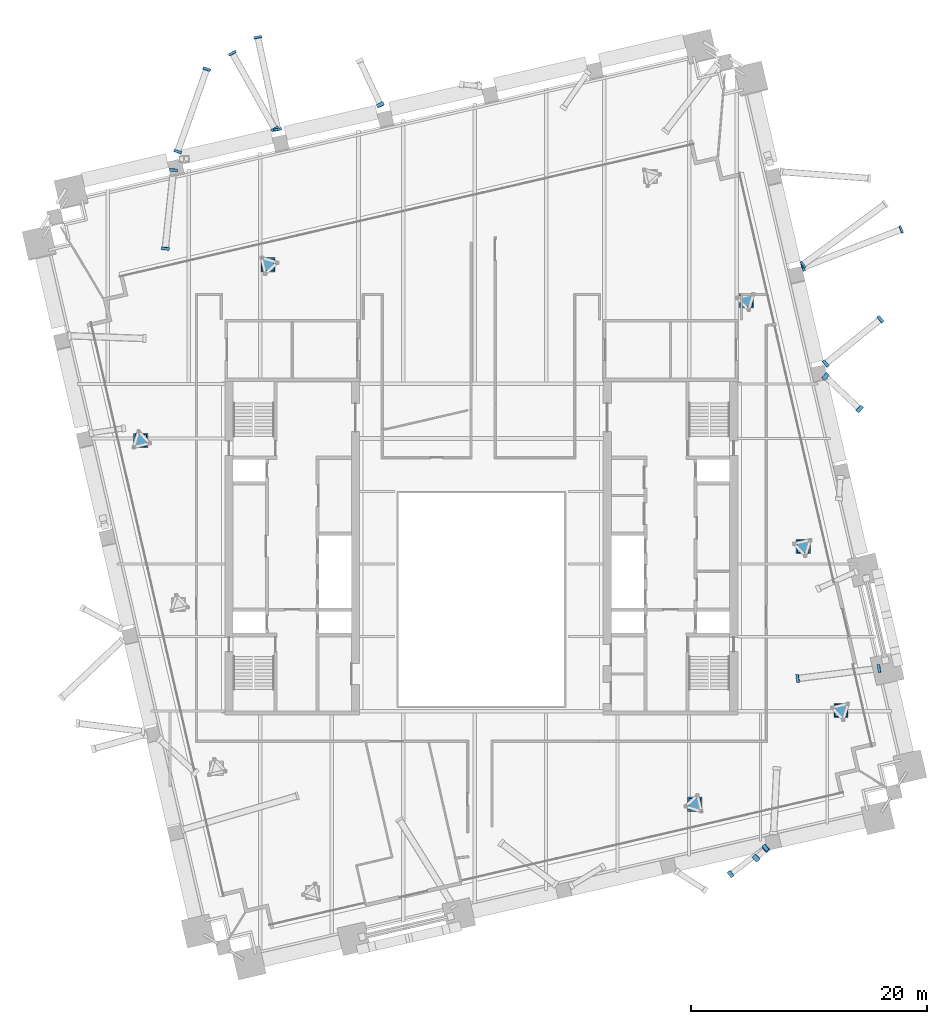
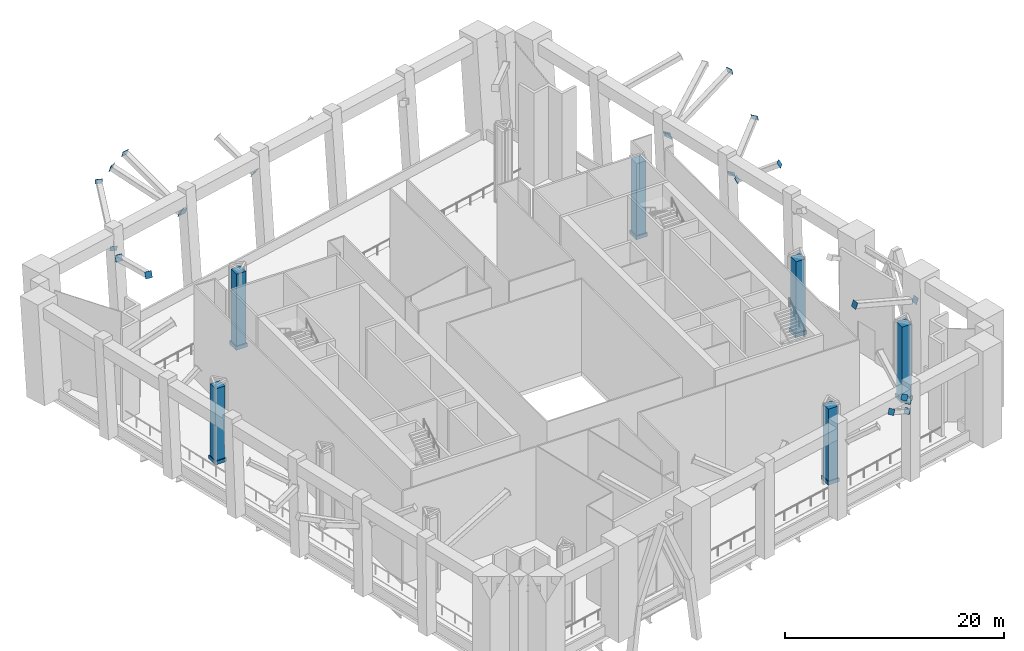
# One storey, part 21 of 25: 34 discrete accessories.
"""IFC4 building model written with IfcOpenShell, lengths in metres."""

from ifc_helpers import new_model, si_unit, direction, frame, origin, origin_2d, place, context, subcontext, project, spatial, rectangle, extrude, material, material_profile, profile_set, type_object, element, save


model = new_model("IFC4")

# Units and contexts
model_context = context("Model", 3, precision=1e-05, world=origin(), true_north=direction((0.0, 1.0)))
body_context = subcontext(model_context, "Body", "Model", "MODEL_VIEW")
ifc_project = project(units=[si_unit("LENGTHUNIT", "METRE"), si_unit("AREAUNIT", "SQUARE_METRE"), si_unit("VOLUMEUNIT", "CUBIC_METRE"), si_unit("PLANEANGLEUNIT", "RADIAN"), si_unit("MASSUNIT", "GRAM", prefix="KILO")], contexts=[model_context])

# Site, building, storey
site_placement = place(None, origin())
site = spatial("IfcSite", under=ifc_project, at=site_placement, CompositionType="ELEMENT")
building_placement = place(site_placement, origin())
building = spatial("IfcBuilding", under=site, at=building_placement, Name="Ogive Exchange Tower", CompositionType="ELEMENT")
storey_placement = place(building_placement, frame((0.0, 0.0, 226.199951171875)))
storey = spatial("IfcBuildingStorey", under=building, at=storey_placement, Name="L50", CompositionType="ELEMENT", Elevation=226.199951171875)

# Discrete accessories
ifc_material = material(Name="Steel ASTM A572 Gr50", Category="steel")
ifc_material_profile_1 = material_profile(ifc_material, rectangle(XDim=0.576904296875, YDim=0.576904296875, at=origin_2d()), Name="PL 577 x 577 x 25")
ifc_profile_set_1 = profile_set([ifc_material_profile_1], Name="Steel ASTM A572 Gr50")
discrete_accessory_type_1 = type_object("IfcDiscreteAccessoryType", Name="Gusset plate 577 x 577 x 25", PredefinedType="USERDEFINED", material=ifc_profile_set_1)
for number, where, z_axis, x_axis, name in (
    (1, (24.087890625, -14.077880859375, 8.990478515625), (-0.509070495895, -0.479701044209, 0.714656657699), (0.685801146497, -0.727788971793, 0.0), "Block-change strut 8 end plate A"),
    (2, (23.248779296875, -14.87060546875, 10.172607421875), (-0.509070495895, -0.479701044209, 0.714656657699), (0.685801146497, -0.727788971793, 0.0), "Block-change strut 8 end plate B"),
    (3, (24.0517578125, -13.990478515625, 7.846923828125), (-0.673820413781, -0.51757220189, 0.527337715133), (0.609155163493, -0.793051061906, 0.0), "Block-change strut 31 end plate A"),
    (4, (21.09423828125, -16.21875, 10.142578125), (-0.677219563049, -0.510368366356, 0.529997918908), (0.601850239387, -0.798608971494, 0.0), "Block-change strut 31 end plate B"),
):
    element("IfcDiscreteAccessory", number, at=place(storey_placement, frame(where, z_axis=z_axis, x_axis=x_axis)), inside=storey, type_object=discrete_accessory_type_1, Name=name, ObjectType="GUSSET PLATE", PredefinedType="USERDEFINED", context=body_context, shape_type="SweptSolid", body=[
        extrude(rectangle(XDim=0.576904296875, YDim=0.576904296875, at=origin_2d()), origin(), (0.0, 0.0, 1.0), 0.02490234375),
    ])
ifc_material_profile_2 = material_profile(ifc_material, rectangle(XDim=0.6279296875, YDim=0.6279296875, at=origin_2d()), Name="PL 628 x 628 x 25")
ifc_profile_set_2 = profile_set([ifc_material_profile_2], Name="Steel ASTM A572 Gr50")
discrete_accessory_type_2 = type_object("IfcDiscreteAccessoryType", Name="Gusset plate 628 x 628 x 25", PredefinedType="USERDEFINED", material=ifc_profile_set_2)
for number, where, z_axis, x_axis, name in (
    (5, (29.096435546875, 25.876220703125, 7.73193359375), (0.624427391194, -0.585400679244, 0.517103933332), (0.683941128881, 0.72953720414, 0.0), "Block-change strut 13 end plate A"),
    (6, (31.99365234375, 23.132568359375, 10.119140625), (0.624427391194, -0.585400679244, 0.517103933332), (0.683941128881, 0.72953720414, 0.0), "Block-change strut 13 end plate B"),
):
    element("IfcDiscreteAccessory", number, at=place(storey_placement, frame(where, z_axis=z_axis, x_axis=x_axis)), inside=storey, type_object=discrete_accessory_type_2, Name=name, ObjectType="GUSSET PLATE", PredefinedType="USERDEFINED", context=body_context, shape_type="SweptSolid", body=[
        extrude(rectangle(XDim=0.6279296875, YDim=0.6279296875, at=origin_2d()), origin(), (0.0, 0.0, 1.0), 0.02490234375),
    ])
discrete_accessory_1_placement = place(storey_placement, frame((-8.54443359375, 48.847900390625, 7.73046875), z_axis=(-0.368984212975, 0.786518980289, 0.495215654256), x_axis=(-0.905324661122, -0.424720211391, 0.0)))
element("IfcDiscreteAccessory", 7, at=discrete_accessory_1_placement, inside=storey, type_object=discrete_accessory_type_2, Name="Block-change strut 21 end plate A", ObjectType="GUSSET PLATE", PredefinedType="USERDEFINED", context=body_context, shape_type="SweptSolid", body=[
    extrude(rectangle(XDim=0.6279296875, YDim=0.6279296875, at=origin_2d()), origin(), (0.0, 0.0, 1.0), 0.025146484375),
])
ifc_material_profile_3 = material_profile(ifc_material, rectangle(XDim=0.678955078125, YDim=0.678955078125, at=origin_2d()), Name="PL 679 x 679 x 25")
ifc_profile_set_3 = profile_set([ifc_material_profile_3], Name="Steel ASTM A572 Gr50")
discrete_accessory_type_3 = type_object("IfcDiscreteAccessoryType", Name="Gusset plate 679 x 679 x 25", PredefinedType="USERDEFINED", material=ifc_profile_set_3)
for number, where, z_axis, x_axis, name in (
    (8, (33.656005859375, 1.1689453125, 7.685791015625), (-0.940286296755, -0.116324077949, 0.31989121436), (0.122775399843, -0.992434482066, 0.0), "Block-change strut 10 end plate A"),
    (9, (26.768798828125, 0.320556640625, 10.07763671875), (-0.936151083573, -0.117018885447, 0.331553508765), (0.124034734589, -0.992277876714, 0.0), "Block-change strut 10 end plate B"),
    (10, (29.116455078125, 26.951416015625, 7.690673828125), (0.72147925777, 0.584983181975, 0.370489348584), (-0.629801958421, 0.77675574872, 0.0), "Block-change strut 14 end plate A"),
    (11, (33.745849609375, 30.703369140625, 10.081298828125), (0.72147925777, 0.584983181975, 0.370489348584), (-0.629801958421, 0.77675574872, 0.0), "Block-change strut 14 end plate B"),
    (12, (27.1875, 35.08984375, 7.68017578125), (0.900159251416, 0.348448742483, 0.261336556863), (-0.360994102558, 0.932568098274, 0.0), "Block-change strut 15 end plate A"),
):
    element("IfcDiscreteAccessory", number, at=place(storey_placement, frame(where, z_axis=z_axis, x_axis=x_axis)), inside=storey, type_object=discrete_accessory_type_3, Name=name, ObjectType="GUSSET PLATE", PredefinedType="USERDEFINED", context=body_context, shape_type="SweptSolid", body=[
        extrude(rectangle(XDim=0.678955078125, YDim=0.678955078125, at=origin_2d()), origin(), (0.0, 0.0, 1.0), 0.025146484375),
    ])
for number, where, z_axis, x_axis, name in (
    (13, (35.495849609375, 38.309326171875, 10.07373046875), (0.900576877424, 0.352399647688, 0.254510856663), (-0.364399348581, 0.931242779706, 0.0), "Block-change strut 15 end plate B"),
    (14, (-17.236328125, 46.74755859375, 7.682373046875), (-0.204958536109, 0.936953307929, 0.283037978437), (-0.976900017396, -0.213696878805, 0.0), "Block-change strut 22 end plate A"),
    (15, (-18.91357421875, 54.55712890625, 10.0751953125), (-0.195580900619, 0.938788322972, 0.283592305898), (-0.978980419738, -0.203954254112, 0.0), "Block-change strut 22 end plate B"),
):
    element("IfcDiscreteAccessory", number, at=place(storey_placement, frame(where, z_axis=z_axis, x_axis=x_axis)), inside=storey, type_object=discrete_accessory_type_3, Name=name, ObjectType="GUSSET PLATE", PredefinedType="USERDEFINED", context=body_context, shape_type="SweptSolid", body=[
        extrude(rectangle(XDim=0.678955078125, YDim=0.678955078125, at=origin_2d()), origin(), (0.0, 0.0, 1.0), 0.02490234375),
    ])
for number, where, z_axis, x_axis, name in (
    (16, (-25.7001953125, 44.885986328125, 7.68408203125), (0.312109725856, 0.897315461837, 0.312109725856), (-0.944496796706, 0.328520624941, 0.0), "Block-change strut 23 end plate A"),
    (17, (-23.243896484375, 51.860107421875, 10.076416015625), (0.312109725856, 0.897315461837, 0.312109725856), (-0.944496796706, 0.328520624941, 0.0), "Block-change strut 23 end plate B"),
):
    element("IfcDiscreteAccessory", number, at=place(storey_placement, frame(where, z_axis=z_axis, x_axis=x_axis)), inside=storey, type_object=discrete_accessory_type_3, Name=name, ObjectType="GUSSET PLATE", PredefinedType="USERDEFINED", context=body_context, shape_type="SweptSolid", body=[
        extrude(rectangle(XDim=0.678955078125, YDim=0.678955078125, at=origin_2d()), origin(), (0.0, 0.0, 1.0), 0.025146484375),
    ])
discrete_accessory_2_placement = place(storey_placement, frame((-26.053955078125, 43.34716796875, 7.68701171875), z_axis=(-0.097720388124, -0.938115725993, 0.332249319622), x_axis=(0.994618408891, -0.103606084259, 0.0)))
element("IfcDiscreteAccessory", 18, at=discrete_accessory_2_placement, inside=storey, type_object=discrete_accessory_type_3, Name="Block-change strut 25 end plate A", ObjectType="GUSSET PLATE", PredefinedType="USERDEFINED", context=body_context, shape_type="SweptSolid", body=[
    extrude(rectangle(XDim=0.678955078125, YDim=0.678955078125, at=origin_2d()), origin(), (0.0, 0.0, 1.0), 0.02490234375),
])
for number, where, z_axis, x_axis, name in (
    (19, (-26.742919921875, 36.705810546875, 10.078369140625), (-0.097400030603, -0.93504029379, 0.340900107111), (0.994618408891, -0.103606084259, 0.0), "Block-change strut 25 end plate B"),
    (20, (27.188720703125, 35.31396484375, 7.6806640625), (0.776662426047, 0.57278853921, 0.262123568791), (-0.593542145184, 0.804802908724, 0.0), "Block-change strut 32 end plate A"),
):
    element("IfcDiscreteAccessory", number, at=place(storey_placement, frame(where, z_axis=z_axis, x_axis=x_axis)), inside=storey, type_object=discrete_accessory_type_3, Name=name, ObjectType="GUSSET PLATE", PredefinedType="USERDEFINED", context=body_context, shape_type="SweptSolid", body=[
        extrude(rectangle(XDim=0.678955078125, YDim=0.678955078125, at=origin_2d()), origin(), (0.0, 0.0, 1.0), 0.025146484375),
    ])
discrete_accessory_3_placement = place(storey_placement, frame((-17.472412109375, 46.801025390625, 7.684326171875), z_axis=(-0.463513977149, 0.830462542392, 0.309009318099), x_axis=(-0.873197702015, -0.487366159264, 0.0)))
element("IfcDiscreteAccessory", 21, at=discrete_accessory_3_placement, inside=storey, type_object=discrete_accessory_type_3, Name="Block-change strut 33 end plate A", ObjectType="GUSSET PLATE", PredefinedType="USERDEFINED", context=body_context, shape_type="SweptSolid", body=[
    extrude(rectangle(XDim=0.678955078125, YDim=0.678955078125, at=origin_2d()), origin(), (0.0, 0.0, 1.0), 0.025390625),
])
discrete_accessory_4_placement = place(storey_placement, frame((-21.065673828125, 53.210693359375, 10.07666015625), z_axis=(-0.468655257346, 0.829910351551, 0.302673187036), x_axis=(-0.87075356708, -0.49171966141, 0.0)))
element("IfcDiscreteAccessory", 22, at=discrete_accessory_4_placement, inside=storey, type_object=discrete_accessory_type_3, Name="Block-change strut 33 end plate B", ObjectType="GUSSET PLATE", PredefinedType="USERDEFINED", context=body_context, shape_type="SweptSolid", body=[
    extrude(rectangle(XDim=0.678955078125, YDim=0.678955078125, at=origin_2d()), origin(), (0.0, 0.0, 1.0), 0.02490234375),
])
discrete_accessory_5_placement = place(storey_placement, frame((18.047119140625, -10.3251953125, 0.0), z_axis=(0.0, 0.0, 1.0), x_axis=(1.0, 0.0, 0.0)))
element("IfcDiscreteAccessory", 23, at=discrete_accessory_5_placement, inside=storey, Name="Turbine mount 2", ObjectType="TURBINE MOUNT", PredefinedType="USERDEFINED", context=body_context, shape_type="SweptSolid", body=[
    extrude(rectangle(XDim=1.199951171875, YDim=1.199951171875, at=origin_2d()), origin(), (0.0, 0.0, 1.0), 0.39990234375),
])
discrete_accessory_6_placement = place(storey_placement, frame((18.047119140625, -10.3251953125, 0.400146484375), z_axis=(0.0, 0.0, 1.0), x_axis=(1.0, 0.0, 0.0)))
element("IfcDiscreteAccessory", 24, at=discrete_accessory_6_placement, inside=storey, Name="WIND TURBINE 2", ObjectType="WIND TURBINE", PredefinedType="USERDEFINED", context=body_context, shape_type="SweptSolid", body=[
    extrude(rectangle(XDim=1.0, YDim=1.0, at=origin_2d()), origin(), (0.0, 0.0, 1.0), 8.0),
])
discrete_accessory_7_placement = place(storey_placement, frame((30.427001953125, -2.379638671875, 0.0), z_axis=(0.0, 0.0, 1.0), x_axis=(1.0, 0.0, 0.0)))
element("IfcDiscreteAccessory", 25, at=discrete_accessory_7_placement, inside=storey, Name="Turbine mount 3", ObjectType="TURBINE MOUNT", PredefinedType="USERDEFINED", context=body_context, shape_type="SweptSolid", body=[
    extrude(rectangle(XDim=1.199951171875, YDim=1.199951171875, at=origin_2d()), origin(), (0.0, 0.0, 1.0), 0.39990234375),
])
discrete_accessory_8_placement = place(storey_placement, frame((30.427001953125, -2.379638671875, 0.400146484375), z_axis=(0.0, 0.0, 1.0), x_axis=(1.0, 0.0, 0.0)))
element("IfcDiscreteAccessory", 26, at=discrete_accessory_8_placement, inside=storey, Name="WIND TURBINE 3", ObjectType="WIND TURBINE", PredefinedType="USERDEFINED", context=body_context, shape_type="SweptSolid", body=[
    extrude(rectangle(XDim=1.0, YDim=1.0, at=origin_2d()), origin(), (0.0, 0.0, 1.0), 8.0),
])
discrete_accessory_9_placement = place(storey_placement, frame((27.226318359375, 11.484375, 0.0), z_axis=(0.0, 0.0, 1.0), x_axis=(1.0, 0.0, 0.0)))
element("IfcDiscreteAccessory", 27, at=discrete_accessory_9_placement, inside=storey, Name="Turbine mount 4", ObjectType="TURBINE MOUNT", PredefinedType="USERDEFINED", context=body_context, shape_type="SweptSolid", body=[
    extrude(rectangle(XDim=1.199951171875, YDim=1.199951171875, at=origin_2d()), origin(), (0.0, 0.0, 1.0), 0.39990234375),
])
discrete_accessory_10_placement = place(storey_placement, frame((27.226318359375, 11.484375, 0.400146484375), z_axis=(0.0, 0.0, 1.0), x_axis=(1.0, 0.0, 0.0)))
element("IfcDiscreteAccessory", 28, at=discrete_accessory_10_placement, inside=storey, Name="WIND TURBINE 4", ObjectType="WIND TURBINE", PredefinedType="USERDEFINED", context=body_context, shape_type="SweptSolid", body=[
    extrude(rectangle(XDim=1.0, YDim=1.0, at=origin_2d()), origin(), (0.0, 0.0, 1.0), 8.0),
])
discrete_accessory_11_placement = place(storey_placement, frame((22.42529296875, 32.280029296875, 0.0), z_axis=(0.0, 0.0, 1.0), x_axis=(1.0, 0.0, 0.0)))
element("IfcDiscreteAccessory", 29, at=discrete_accessory_11_placement, inside=storey, Name="Turbine mount 5", ObjectType="TURBINE MOUNT", PredefinedType="USERDEFINED", context=body_context, shape_type="SweptSolid", body=[
    extrude(rectangle(XDim=1.199951171875, YDim=1.199951171875, at=origin_2d()), origin(), (0.0, 0.0, 1.0), 0.39990234375),
])
discrete_accessory_12_placement = place(storey_placement, frame((22.42529296875, 32.280029296875, 0.400146484375), z_axis=(0.0, 0.0, 1.0), x_axis=(1.0, 0.0, 0.0)))
element("IfcDiscreteAccessory", 30, at=discrete_accessory_12_placement, inside=storey, Name="WIND TURBINE 5", ObjectType="WIND TURBINE", PredefinedType="USERDEFINED", context=body_context, shape_type="SweptSolid", body=[
    extrude(rectangle(XDim=1.0, YDim=1.0, at=origin_2d()), origin(), (0.0, 0.0, 1.0), 8.0),
])
discrete_accessory_13_placement = place(storey_placement, frame((-18.047119140625, 35.3251953125, 0.0), z_axis=(0.0, 0.0, 1.0), x_axis=(1.0, 0.0, 0.0)))
element("IfcDiscreteAccessory", 31, at=discrete_accessory_13_placement, inside=storey, Name="Turbine mount 7", ObjectType="TURBINE MOUNT", PredefinedType="USERDEFINED", context=body_context, shape_type="SweptSolid", body=[
    extrude(rectangle(XDim=1.199951171875, YDim=1.199951171875, at=origin_2d()), origin(), (0.0, 0.0, 1.0), 0.39990234375),
])
discrete_accessory_14_placement = place(storey_placement, frame((-18.047119140625, 35.3251953125, 0.400146484375), z_axis=(0.0, 0.0, 1.0), x_axis=(1.0, 0.0, 0.0)))
element("IfcDiscreteAccessory", 32, at=discrete_accessory_14_placement, inside=storey, Name="WIND TURBINE 7", ObjectType="WIND TURBINE", PredefinedType="USERDEFINED", context=body_context, shape_type="SweptSolid", body=[
    extrude(rectangle(XDim=1.0, YDim=1.0, at=origin_2d()), origin(), (0.0, 0.0, 1.0), 8.0),
])
discrete_accessory_15_placement = place(storey_placement, frame((-28.82666015625, 20.44775390625, 0.0), z_axis=(0.0, 0.0, 1.0), x_axis=(1.0, 0.0, 0.0)))
element("IfcDiscreteAccessory", 33, at=discrete_accessory_15_placement, inside=storey, Name="Turbine mount 8", ObjectType="TURBINE MOUNT", PredefinedType="USERDEFINED", context=body_context, shape_type="SweptSolid", body=[
    extrude(rectangle(XDim=1.199951171875, YDim=1.199951171875, at=origin_2d()), origin(), (0.0, 0.0, 1.0), 0.39990234375),
])
discrete_accessory_16_placement = place(storey_placement, frame((-28.82666015625, 20.44775390625, 0.400146484375), z_axis=(0.0, 0.0, 1.0), x_axis=(1.0, 0.0, 0.0)))
element("IfcDiscreteAccessory", 34, at=discrete_accessory_16_placement, inside=storey, Name="WIND TURBINE 8", ObjectType="WIND TURBINE", PredefinedType="USERDEFINED", context=body_context, shape_type="SweptSolid", body=[
    extrude(rectangle(XDim=1.0, YDim=1.0, at=origin_2d()), origin(), (0.0, 0.0, 1.0), 8.0),
])

save(model, "model.ifc")
